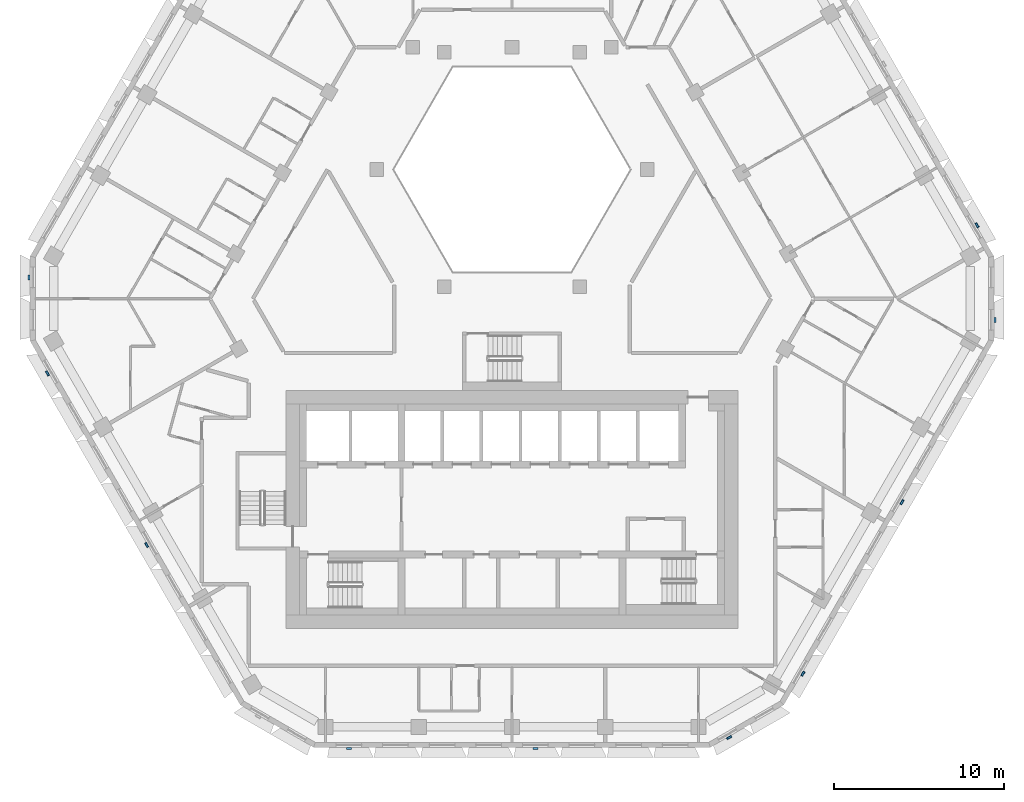
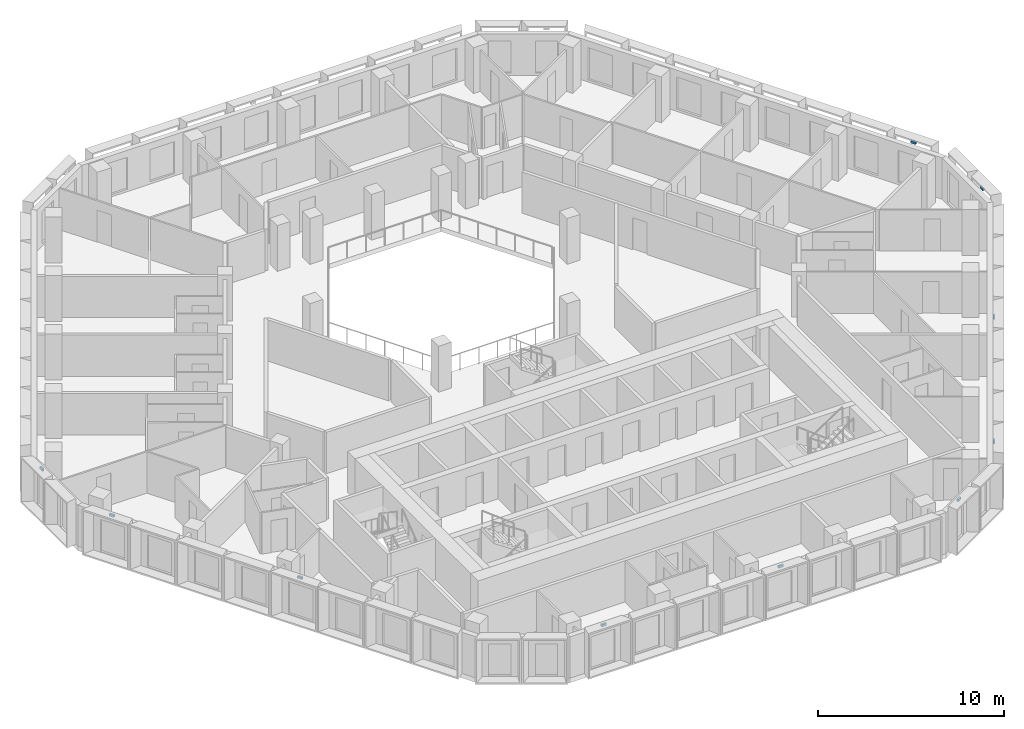
# One storey, part 10 of 17: 10 discrete accessories.
"""IFC4 building model written with IfcOpenShell, lengths in metres."""

import ifcopenshell
import ifcopenshell.guid

model = None  # the IFC model being written
_history = None  # IfcOwnerHistory: only IFC2X3 demands one
_inside = {}  # id of a spatial element -> (the spatial element, [elements in it])
_under = {}  # id of a project, library or spatial element -> (it, [spatial elements below it])
_declared = {}  # id of a project -> (the project, [libraries it declares])
_typed = {}  # id of a type object -> (the type object, [elements of that type])
_made_of = {}  # id of a material, layer set ... -> (it, [elements and type objects made of it])


def new_model(schema):
    """Start an empty IFC model of exactly this schema.

    Asked for "IFC4X3", IfcOpenShell would pick the latest addendum, in which some entities
    have other attributes; the version numbers below select the first issue.
    IFC2X3 requires an IfcOwnerHistory on every rooted entity: one is made here for all.
    """
    global model, _history
    if schema == "IFC4X3":
        model = ifcopenshell.file(schema_version=(4, 3, 0, 0))
    else:
        model = ifcopenshell.file(schema=schema)
    _inside.clear()
    _under.clear()
    _declared.clear()
    _typed.clear()
    _made_of.clear()
    _history = None
    if model.schema == "IFC2X3":
        org = make("IfcOrganization", Name="unknown")
        user = make(
            "IfcPersonAndOrganization",
            ThePerson=make("IfcPerson", FamilyName="unknown"),
            TheOrganization=org,
        )
        app = make(
            "IfcApplication",
            ApplicationDeveloper=org,
            Version="unknown",
            ApplicationFullName="unknown",
            ApplicationIdentifier="unknown",
        )
        _history = make(
            "IfcOwnerHistory",
            OwningUser=user,
            OwningApplication=app,
            ChangeAction="ADDED",
            CreationDate=0,
        )
    return model


def make(cls, **values):
    """One entity of the class cls with the attributes given. An attribute that is None is left unset."""
    return model.create_entity(
        cls, **{name: value for name, value in values.items() if value is not None}
    )


def rooted(cls, **values):
    """An entity with a GlobalId (a new one), such as an element, a storey or a relation."""
    return make(cls, GlobalId=ifcopenshell.guid.new(), OwnerHistory=_history, **values)


def si_unit(unit_type, name, prefix=None):
    """IfcSIUnit, for example si_unit("LENGTHUNIT", "METRE", prefix="MILLI")."""
    return make("IfcSIUnit", UnitType=unit_type, Prefix=prefix, Name=name)


def assignment(units):
    """IfcUnitAssignment: the units of a project."""
    return None if units is None else make("IfcUnitAssignment", Units=units)


def point(xyz):
    """IfcCartesianPoint."""
    return None if xyz is None else make("IfcCartesianPoint", Coordinates=xyz)


def direction(xyz):
    """IfcDirection."""
    return None if xyz is None else make("IfcDirection", DirectionRatios=xyz)


def frame(location, z_axis=None, x_axis=None):
    """IfcAxis2Placement3D, a coordinate frame: its origin and axes. An axis left out is left unset."""
    return make(
        "IfcAxis2Placement3D",
        Location=point(location),
        Axis=direction(z_axis),
        RefDirection=direction(x_axis),
    )


def origin():
    """The frame at (0, 0, 0) with its axes left unset."""
    return frame((0.0, 0.0, 0.0))


def place(relative_to, where):
    """IfcLocalPlacement: puts the frame where relative to a parent placement (None: the world)."""
    return make(
        "IfcLocalPlacement", PlacementRelTo=relative_to, RelativePlacement=where
    )


def context(
    kind, dimensions, precision=None, world=None, true_north=None, identifier=None
):
    """IfcGeometricRepresentationContext, for example the 3D "Model" context."""
    return make(
        "IfcGeometricRepresentationContext",
        ContextIdentifier=identifier,
        ContextType=kind,
        CoordinateSpaceDimension=dimensions,
        Precision=precision,
        WorldCoordinateSystem=world,
        TrueNorth=true_north,
    )


def subcontext(parent, identifier, kind, view, scale=None):
    """IfcGeometricRepresentationSubContext, for example "Body" below "Model"."""
    return make(
        "IfcGeometricRepresentationSubContext",
        ContextIdentifier=identifier,
        ContextType=kind,
        ParentContext=parent,
        TargetScale=scale,
        TargetView=view,
    )


def project(units=None, contexts=None):
    """IfcProject with its units and contexts."""
    return rooted(
        "IfcProject",
        Name="project",
        RepresentationContexts=contexts,
        UnitsInContext=assignment(units),
    )


def spatial(cls, under=None, at=None, **own):
    """A site, building, storey or space (cls), placed at a placement, below another one or the project."""
    s = rooted(cls, ObjectPlacement=at, **own)
    if under is not None:
        _under.setdefault(under.id(), (under, []))[1].append(s)
    return s


def polyline(points):
    """IfcPolyline through the points."""
    return make("IfcPolyline", Points=[point(p) for p in points])


def outline(outer, holes=None, kind="AREA"):
    """IfcArbitraryClosedProfileDef: a profile drawn as a closed curve; with holes, ...WithVoids."""
    if holes is None:
        return make("IfcArbitraryClosedProfileDef", ProfileType=kind, OuterCurve=outer)
    return make(
        "IfcArbitraryProfileDefWithVoids",
        ProfileType=kind,
        OuterCurve=outer,
        InnerCurves=holes,
    )


def extrude(swept, where, along, depth):
    """IfcExtrudedAreaSolid: the profile swept, set in the frame where, extruded along a direction by depth."""
    return make(
        "IfcExtrudedAreaSolid",
        SweptArea=swept,
        Position=where,
        ExtrudedDirection=direction(along),
        Depth=depth,
    )


def shape(context_of_items, identifier, shape_type, items):
    """IfcShapeRepresentation: the items that make up one representation, for example the "Body"."""
    return make(
        "IfcShapeRepresentation",
        ContextOfItems=context_of_items,
        RepresentationIdentifier=identifier,
        RepresentationType=shape_type,
        Items=items,
    )


def source(mapping_origin, context_of_items, identifier, shape_type, items):
    """IfcRepresentationMap: a shape defined once, which mapped items show again and again."""
    return make(
        "IfcRepresentationMap",
        MappingOrigin=mapping_origin,
        MappedRepresentation=shape(context_of_items, identifier, shape_type, items),
    )


def transform(
    local_origin,
    x_axis=None,
    y_axis=None,
    z_axis=None,
    scale=None,
    scale2=None,
    scale3=None,
    uniform=True,
):
    """IfcCartesianTransformationOperator3D, or its non-uniform kind. x_axis, y_axis, z_axis: its Axis1, 2, 3."""
    if uniform:
        return make(
            "IfcCartesianTransformationOperator3D",
            Axis1=direction(x_axis),
            Axis2=direction(y_axis),
            LocalOrigin=point(local_origin),
            Scale=scale,
            Axis3=direction(z_axis),
        )
    return make(
        "IfcCartesianTransformationOperator3DnonUniform",
        Axis1=direction(x_axis),
        Axis2=direction(y_axis),
        LocalOrigin=point(local_origin),
        Scale=scale,
        Axis3=direction(z_axis),
        Scale2=scale2,
        Scale3=scale3,
    )


def mapped(mapping_source, mapping_target):
    """IfcMappedItem: shows the shape of a source again, moved by a transform."""
    return make(
        "IfcMappedItem", MappingSource=mapping_source, MappingTarget=mapping_target
    )


def material(Name=None, Category=None):
    """IfcMaterial."""
    return make("IfcMaterial", Name=Name, Category=Category)


def made_of(thing, what):
    """Note that an element or type object is made of a material, layer set ...; save() writes the relation."""
    if what is not None:
        _made_of.setdefault(what.id(), (what, []))[1].append(thing)
    return thing


def type_object(cls, material=None, **own):
    """A type object (cls), such as IfcWallType, which elements share."""
    return made_of(rooted(cls, **own), material)


def type_shapes(of_type, sources):
    """Give a type object the sources (RepresentationMaps) that its elements show as mapped items."""
    of_type.RepresentationMaps = sources


def element(
    cls,
    number,
    at=None,
    inside=None,
    cuts=None,
    type_object=None,
    material=None,
    context=None,
    identifier="Body",
    shape_type=None,
    held_by="IfcProductDefinitionShape",
    body=None,
    shapes=None,
    **own,
):
    """One element of the class cls, such as IfcWall. Its Tag is "e" and its number.

    at: its placement. inside: the storey or other place that contains it. cuts: it is an
    opening in that element (IfcRelVoidsElement). A single representation is given by context,
    identifier, shape_type and body (its items); several are given by shapes. held_by: the class
    of the entity that holds the representations. save() writes the other relations.
    """
    e = rooted(cls, Tag="e%d" % number, ObjectPlacement=at, **own)
    if body is not None:
        shapes = [shape(context, identifier, shape_type, body)]
    if shapes is not None:
        e.Representation = make(held_by, Representations=shapes)
    if inside is not None:
        _inside.setdefault(inside.id(), (inside, []))[1].append(e)
    if cuts is not None:
        rooted(
            "IfcRelVoidsElement", RelatingBuildingElement=cuts, RelatedOpeningElement=e
        )
    if type_object is not None:
        _typed.setdefault(type_object.id(), (type_object, []))[1].append(e)
    return made_of(e, material)


def aggregate(whole, parts):
    """IfcRelAggregates: a whole, such as a stair, and the parts it consists of."""
    return rooted("IfcRelAggregates", RelatingObject=whole, RelatedObjects=parts)


def save(model, path):
    """Write the relations noted so far, then the file.

    IfcRelAggregates (storeys below a building ...), IfcRelContainedInSpatialStructure (elements
    in a storey), IfcRelDefinesByType, IfcRelAssociatesMaterial and IfcRelDeclares: one each for
    every whole, place, type object, material and project.
    """
    for whole, parts in _under.values():
        aggregate(whole, parts)
    for where, things in _inside.values():
        rooted(
            "IfcRelContainedInSpatialStructure",
            RelatedElements=things,
            RelatingStructure=where,
        )
    for kind, things in _typed.values():
        rooted("IfcRelDefinesByType", RelatedObjects=things, RelatingType=kind)
    for what, things in _made_of.values():
        rooted("IfcRelAssociatesMaterial", RelatedObjects=things, RelatingMaterial=what)
    for by, libraries in _declared.values():
        rooted("IfcRelDeclares", RelatingContext=by, RelatedDefinitions=libraries)
    model.write(path)


model = new_model("IFC4")

# Units and contexts
model_context = context("Model", 3, precision=1e-05, world=origin(), true_north=direction((0.0, 1.0)))
body_context = subcontext(model_context, "Body", "Model", "MODEL_VIEW")
ifc_project = project(units=[si_unit("LENGTHUNIT", "METRE"), si_unit("AREAUNIT", "SQUARE_METRE"), si_unit("VOLUMEUNIT", "CUBIC_METRE"), si_unit("PLANEANGLEUNIT", "RADIAN"), si_unit("MASSUNIT", "GRAM", prefix="KILO")], contexts=[model_context])

# Site, building, storey
site_placement = place(None, origin())
site = spatial("IfcSite", under=ifc_project, at=site_placement, CompositionType="ELEMENT")
building_placement = place(site_placement, origin())
building = spatial("IfcBuilding", under=site, at=building_placement, Name="Beryl Residences", CompositionType="ELEMENT")
storey_placement = place(building_placement, frame((0.0, 0.0, 132.60009765625)))
storey = spatial("IfcBuildingStorey", under=building, at=storey_placement, Name="L40", CompositionType="ELEMENT", Elevation=132.60009765625)

# Discrete accessories
ifc_material = material(Name="Steel S355", Category="steel")
discrete_accessory_type = type_object("IfcDiscreteAccessoryType", Name="BR1 frame bracket 300 x 120 x 150 mm", PredefinedType="BRACKET", material=ifc_material)
shared_shape = source(origin(), body_context, "Body", "SweptSolid", [
    extrude(outline(polyline([(-0.14990234375, 0.0), (0.14990234375, 0.0), (0.14990234375, 0.1201171875), (-0.14990234375, 0.1201171875), (-0.14990234375, 0.0)])), origin(), (0.0, 0.0, 1.0), 0.14990234375),
])
type_shapes(discrete_accessory_type, [shared_shape])
for number, where, z_axis, x_axis, name in (
    (1, (-28.347900390625, 1.64990234375, 2.75), (0.0, 0.0, 1.0), (0.0, 1.0, 0.0), "BR1 bracket L40 NW-SW 1"),
    (2, (-27.27294921875, -3.9619140625, 2.75), (0.0, 0.0, 1.0), (-0.5, 0.866025403784, 0.0), "BR1 bracket L40 SW 1"),
    (3, (-21.44189453125, -14.06201171875, 2.75), (0.0, 0.0, 1.0), (-0.5, 0.866025403784, 0.0), "BR1 bracket L40 SW 5"),
    (4, (-9.597900390625, -26.0, 2.75), (0.0, 0.0, 1.0), (-1.0, 0.0, 0.0), "BR1 bracket L40 S 1"),
    (5, (1.3720703125, -26.0, 2.75), (0.0, 0.0, 1.0), (-1.0, 0.0, 0.0), "BR1 bracket L40 S 5"),
    (6, (12.7451171875, -25.375, 2.75), (0.0, 0.0, 1.0), (-0.866025403784, -0.5, 0.0), "BR1 bracket L40 S-SE 1"),
    (7, (17.06689453125, -21.637939453125, 2.75), (0.0, 0.0, 1.0), (-0.5, -0.866025403784, 0.0), "BR1 bracket L40 SE 1"),
    (8, (22.89794921875, -11.5380859375, 2.75), (0.0, 0.0, 1.0), (-0.5, -0.866025403784, 0.0), "BR1 bracket L40 SE 5"),
    (9, (28.347900390625, -0.85009765625, 2.75), (0.0, 0.0, 1.0), (0.0, -1.0, 0.0), "BR1 bracket L40 SE-NE 1"),
    (10, (27.31591796875, 4.68701171875, 2.75), (0.0, 0.0, 1.0), (0.5, -0.866025403784, 0.0), "BR1 bracket L40 NE 1"),
):
    element("IfcDiscreteAccessory", number, at=place(storey_placement, frame(where, z_axis=z_axis, x_axis=x_axis)), inside=storey, type_object=discrete_accessory_type, Name=name, PredefinedType="BRACKET", context=body_context, shape_type="MappedRepresentation", body=[
        mapped(shared_shape, transform((0.0, 0.0, 0.0))),
    ])

save(model, "model.ifc")
